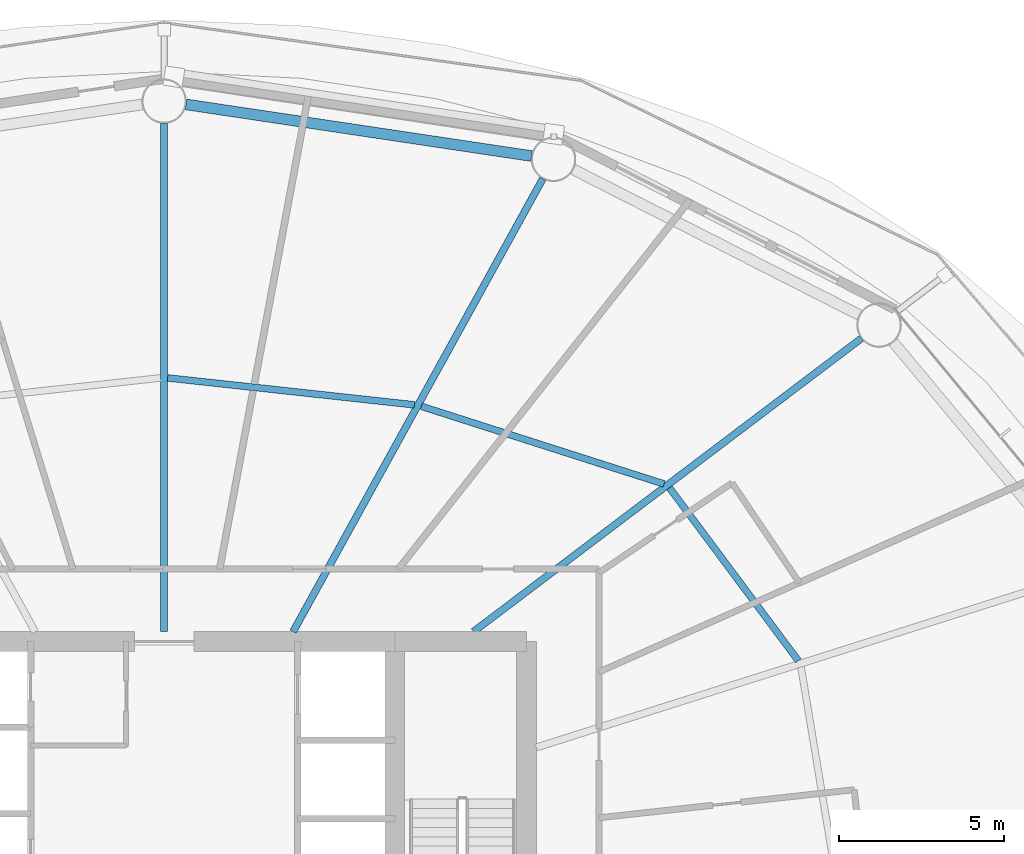
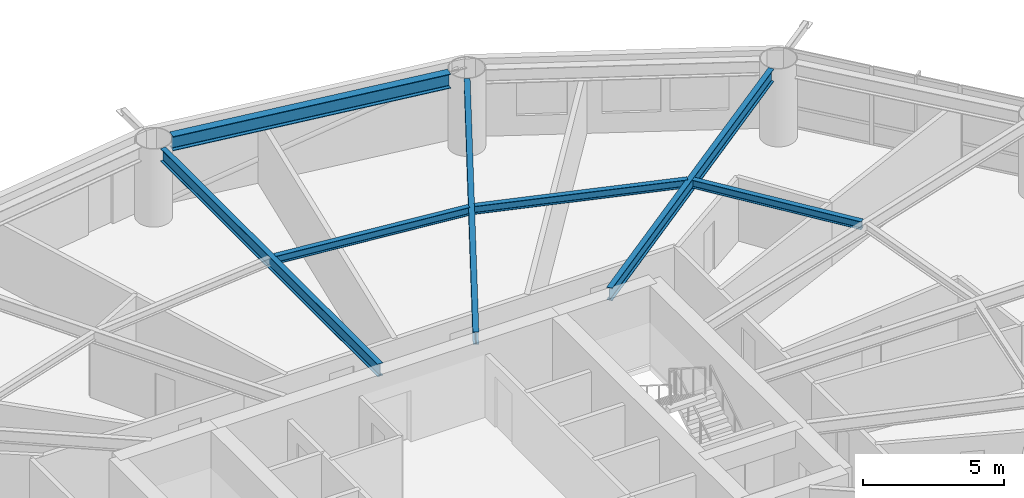
# One storey, part 13 of 26: 7 beams.
"""IFC4 building model written with IfcOpenShell, lengths in metres."""

from ifc_helpers import new_model, si_unit, direction, frame, origin, origin_2d, place, context, subcontext, project, spatial, i_section, extrude, material, material_profile, profile_set, type_object, element, save


model = new_model("IFC4")

# Units and contexts
model_context = context("Model", 3, precision=1e-05, world=origin(), true_north=direction((0.0, 1.0)))
body_context = subcontext(model_context, "Body", "Model", "MODEL_VIEW")
ifc_project = project(units=[si_unit("LENGTHUNIT", "METRE"), si_unit("AREAUNIT", "SQUARE_METRE"), si_unit("VOLUMEUNIT", "CUBIC_METRE"), si_unit("PLANEANGLEUNIT", "RADIAN"), si_unit("MASSUNIT", "GRAM", prefix="KILO")], contexts=[model_context])

# Site, building, storey
site_placement = place(None, origin())
site = spatial("IfcSite", under=ifc_project, at=site_placement, CompositionType="ELEMENT")
building_placement = place(site_placement, origin())
building = spatial("IfcBuilding", under=site, at=building_placement, Name="Sarneth Arch Tower", CompositionType="ELEMENT")
storey_placement = place(building_placement, frame((0.0, 0.0, 57.0)))
storey = spatial("IfcBuildingStorey", under=building, at=storey_placement, Name="L13", CompositionType="ELEMENT", Elevation=57.0)

# Beams
ifc_material_1 = material(Name="Steel S355", Category="steel")
ifc_material_profile_1 = material_profile(ifc_material_1, i_section(OverallWidth=0.2041015625, OverallDepth=0.35009765625, WebThickness=0.008544921875, FlangeThickness=0.01513671875, FilletRadius=0.014892578125, at=origin_2d()), Name="W360x72")
ifc_profile_set_1 = profile_set([ifc_material_profile_1], Name="Steel S355")
beam_type_1 = type_object("IfcBeamType", Name="BM-JOIST-360D", PredefinedType="JOIST", material=ifc_profile_set_1)
beam_1_placement = place(storey_placement, frame((67.2470703125, 48.216552734375, 3.205078125), z_axis=(-0.597453564101, 0.801903509621, 0.0), x_axis=(-0.801903509621, -0.597453564101, 0.0)))
element("IfcBeam", 1, at=beam_1_placement, inside=storey, type_object=beam_type_1, Name="L13 Secondary floor joist 02", PredefinedType="JOIST", context=body_context, shape_type="SweptSolid", body=[
    extrude(i_section(OverallWidth=0.2041015625, OverallDepth=0.35009765625, WebThickness=0.008544921875, FlangeThickness=0.01513671875, FilletRadius=0.014892578125, at=origin_2d()), origin(), (0.0, 0.0, 1.0), 6.542724609375),
])
beam_2_placement = place(storey_placement, frame((63.17236328125, 53.58154296875, 3.205078125), z_axis=(-0.952436240143, 0.304737934073, 0.0), x_axis=(-0.304737934073, -0.952436240143, 0.0)))
element("IfcBeam", 2, at=beam_2_placement, inside=storey, type_object=beam_type_1, Name="L13 Secondary floor joist 03", PredefinedType="JOIST", context=body_context, shape_type="SweptSolid", body=[
    extrude(i_section(OverallWidth=0.2041015625, OverallDepth=0.35009765625, WebThickness=0.008544921875, FlangeThickness=0.01513671875, FilletRadius=0.014892578125, at=origin_2d()), origin(), (0.0, 0.0, 1.0), 7.735107421875),
])
beam_3_placement = place(storey_placement, frame((55.596923828125, 55.983154296875, 3.205078125), z_axis=(-0.994095251924, 0.108510967657, 0.0), x_axis=(-0.108510967657, -0.994095251924, 0.0)))
element("IfcBeam", 3, at=beam_3_placement, inside=storey, type_object=beam_type_1, Name="L13 Secondary floor joist 04", PredefinedType="JOIST", context=body_context, shape_type="SweptSolid", body=[
    extrude(i_section(OverallWidth=0.2041015625, OverallDepth=0.35009765625, WebThickness=0.008544921875, FlangeThickness=0.01513671875, FilletRadius=0.014892578125, at=origin_2d()), origin(), (0.0, 0.0, 1.0), 7.534912109375),
])
ifc_material_2 = material(Name="Steel S355", Category="steel")
ifc_material_profile_2 = material_profile(ifc_material_2, i_section(OverallWidth=0.214111328125, OverallDepth=0.549072265625, WebThickness=0.0146484375, FlangeThickness=0.023681640625, FilletRadius=0.01806640625, at=origin_2d()), Name="W530x138")
ifc_profile_set_2 = profile_set([ifc_material_profile_2], Name="Steel S355")
beam_type_2 = type_object("IfcBeamType", Name="BM-RAD-530A", PredefinedType="BEAM", material=ifc_profile_set_2)
beam_4_placement = place(storey_placement, frame((57.390380859375, 49.10009765625, 3.10546875), z_axis=(0.797656612852, 0.603111870198, 0.0), x_axis=(-0.603111870198, 0.797656612852, 0.0)))
element("IfcBeam", 4, at=beam_4_placement, inside=storey, type_object=beam_type_2, Name="L13 Radial floor girder 03", PredefinedType="BEAM", context=body_context, shape_type="SweptSolid", body=[
    extrude(i_section(OverallWidth=0.214111328125, OverallDepth=0.549072265625, WebThickness=0.0146484375, FlangeThickness=0.023681640625, FilletRadius=0.01806640625, at=origin_2d()), origin(), (0.0, 0.0, 1.0), 14.7529296875),
])
beam_5_placement = place(storey_placement, frame((51.91455078125, 49.10009765625, 3.10546875), z_axis=(0.482837562311, 0.875709933952, 0.0), x_axis=(-0.875709933952, 0.482837562311, 0.0)))
element("IfcBeam", 5, at=beam_5_placement, inside=storey, type_object=beam_type_2, Name="L13 Radial floor girder 04", PredefinedType="BEAM", context=body_context, shape_type="SweptSolid", body=[
    extrude(i_section(OverallWidth=0.214111328125, OverallDepth=0.549072265625, WebThickness=0.0146484375, FlangeThickness=0.023681640625, FilletRadius=0.01806640625, at=origin_2d()), origin(), (0.0, 0.0, 1.0), 15.693359375),
])
beam_6_placement = place(storey_placement, frame((48.0, 49.10009765625, 3.10546875), z_axis=(0.0, 1.0, 0.0), x_axis=(-1.0, 0.0, 0.0)))
element("IfcBeam", 6, at=beam_6_placement, inside=storey, type_object=beam_type_2, Name="L13 Radial floor girder 05", PredefinedType="BEAM", context=body_context, shape_type="SweptSolid", body=[
    extrude(i_section(OverallWidth=0.214111328125, OverallDepth=0.549072265625, WebThickness=0.0146484375, FlangeThickness=0.023681640625, FilletRadius=0.01806640625, at=origin_2d()), origin(), (0.0, 0.0, 1.0), 15.4248046875),
])
ifc_material_3 = material(Name="Steel S355", Category="steel")
ifc_material_profile_3 = material_profile(ifc_material_3, i_section(OverallWidth=0.326904296875, OverallDepth=0.6220703125, WebThickness=0.015380859375, FlangeThickness=0.0244140625, FilletRadius=0.01904296875, at=origin_2d()), Name="W610x195")
ifc_profile_set_3 = profile_set([ifc_material_profile_3], Name="Steel S355")
beam_type_3 = type_object("IfcBeamType", Name="BM-SPAN-610A", PredefinedType="SPANDREL", material=ifc_profile_set_3)
beam_7_placement = place(storey_placement, frame((59.150146484375, 63.53369140625, 3.069091796875), z_axis=(-0.989015788086, 0.147809914809, 0.0), x_axis=(-0.147809914809, -0.989015788086, 0.0)))
element("IfcBeam", 7, at=beam_7_placement, inside=storey, type_object=beam_type_3, Name="L13 Perimeter spandrel beam 04", PredefinedType="SPANDREL", context=body_context, shape_type="SweptSolid", body=[
    extrude(i_section(OverallWidth=0.326904296875, OverallDepth=0.6220703125, WebThickness=0.015380859375, FlangeThickness=0.0244140625, FilletRadius=0.01904296875, at=origin_2d()), origin(), (0.0, 0.0, 1.0), 10.59912109375),
])

save(model, "model.ifc")
